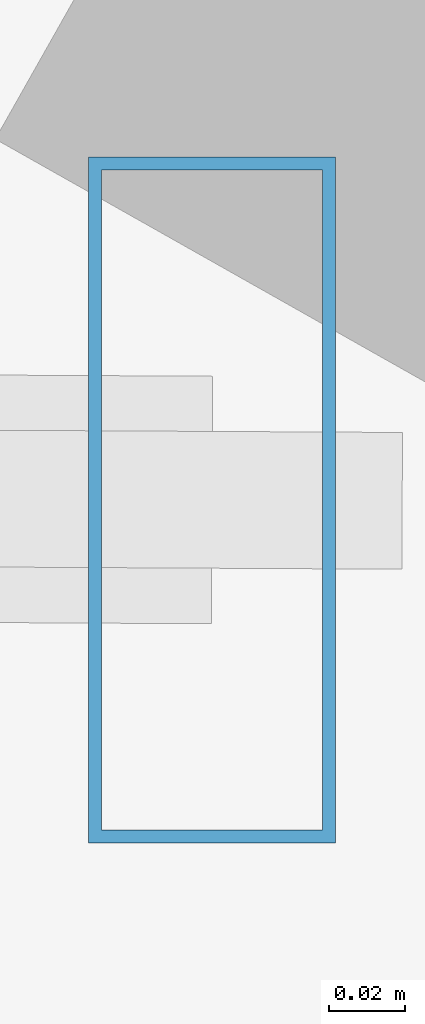
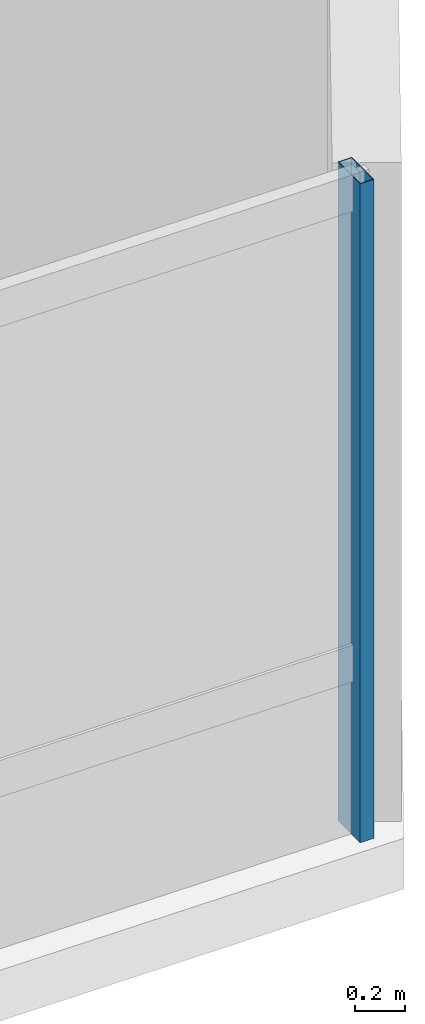
# One storey, part 17 of 39: 1 member, 1 element without a shape of its own.
"""IFC4 building model written with IfcOpenShell, lengths in metres."""

import ifcopenshell
import ifcopenshell.guid

model = None  # the IFC model being written
_history = None  # IfcOwnerHistory: only IFC2X3 demands one
_inside = {}  # id of a spatial element -> (the spatial element, [elements in it])
_under = {}  # id of a project, library or spatial element -> (it, [spatial elements below it])
_declared = {}  # id of a project -> (the project, [libraries it declares])
_typed = {}  # id of a type object -> (the type object, [elements of that type])
_made_of = {}  # id of a material, layer set ... -> (it, [elements and type objects made of it])


def new_model(schema):
    """Start an empty IFC model of exactly this schema.

    Asked for "IFC4X3", IfcOpenShell would pick the latest addendum, in which some entities
    have other attributes; the version numbers below select the first issue.
    IFC2X3 requires an IfcOwnerHistory on every rooted entity: one is made here for all.
    """
    global model, _history
    if schema == "IFC4X3":
        model = ifcopenshell.file(schema_version=(4, 3, 0, 0))
    else:
        model = ifcopenshell.file(schema=schema)
    _inside.clear()
    _under.clear()
    _declared.clear()
    _typed.clear()
    _made_of.clear()
    _history = None
    if model.schema == "IFC2X3":
        org = make("IfcOrganization", Name="unknown")
        user = make(
            "IfcPersonAndOrganization",
            ThePerson=make("IfcPerson", FamilyName="unknown"),
            TheOrganization=org,
        )
        app = make(
            "IfcApplication",
            ApplicationDeveloper=org,
            Version="unknown",
            ApplicationFullName="unknown",
            ApplicationIdentifier="unknown",
        )
        _history = make(
            "IfcOwnerHistory",
            OwningUser=user,
            OwningApplication=app,
            ChangeAction="ADDED",
            CreationDate=0,
        )
    return model


def make(cls, **values):
    """One entity of the class cls with the attributes given. An attribute that is None is left unset."""
    return model.create_entity(
        cls, **{name: value for name, value in values.items() if value is not None}
    )


def rooted(cls, **values):
    """An entity with a GlobalId (a new one), such as an element, a storey or a relation."""
    return make(cls, GlobalId=ifcopenshell.guid.new(), OwnerHistory=_history, **values)


def si_unit(unit_type, name, prefix=None):
    """IfcSIUnit, for example si_unit("LENGTHUNIT", "METRE", prefix="MILLI")."""
    return make("IfcSIUnit", UnitType=unit_type, Prefix=prefix, Name=name)


def assignment(units):
    """IfcUnitAssignment: the units of a project."""
    return None if units is None else make("IfcUnitAssignment", Units=units)


def point(xyz):
    """IfcCartesianPoint."""
    return None if xyz is None else make("IfcCartesianPoint", Coordinates=xyz)


def direction(xyz):
    """IfcDirection."""
    return None if xyz is None else make("IfcDirection", DirectionRatios=xyz)


def frame(location, z_axis=None, x_axis=None):
    """IfcAxis2Placement3D, a coordinate frame: its origin and axes. An axis left out is left unset."""
    return make(
        "IfcAxis2Placement3D",
        Location=point(location),
        Axis=direction(z_axis),
        RefDirection=direction(x_axis),
    )


def frame_2d(location, x_axis=None):
    """IfcAxis2Placement2D, a coordinate frame in the plane: its origin and x axis."""
    return make(
        "IfcAxis2Placement2D", Location=point(location), RefDirection=direction(x_axis)
    )


def origin():
    """The frame at (0, 0, 0) with its axes left unset."""
    return frame((0.0, 0.0, 0.0))


def origin_2d():
    """The frame at (0, 0) in the plane with its x axis left unset."""
    return frame_2d((0.0, 0.0))


def place(relative_to, where):
    """IfcLocalPlacement: puts the frame where relative to a parent placement (None: the world)."""
    return make(
        "IfcLocalPlacement", PlacementRelTo=relative_to, RelativePlacement=where
    )


def context(
    kind, dimensions, precision=None, world=None, true_north=None, identifier=None
):
    """IfcGeometricRepresentationContext, for example the 3D "Model" context."""
    return make(
        "IfcGeometricRepresentationContext",
        ContextIdentifier=identifier,
        ContextType=kind,
        CoordinateSpaceDimension=dimensions,
        Precision=precision,
        WorldCoordinateSystem=world,
        TrueNorth=true_north,
    )


def subcontext(parent, identifier, kind, view, scale=None):
    """IfcGeometricRepresentationSubContext, for example "Body" below "Model"."""
    return make(
        "IfcGeometricRepresentationSubContext",
        ContextIdentifier=identifier,
        ContextType=kind,
        ParentContext=parent,
        TargetScale=scale,
        TargetView=view,
    )


def project(units=None, contexts=None):
    """IfcProject with its units and contexts."""
    return rooted(
        "IfcProject",
        Name="project",
        RepresentationContexts=contexts,
        UnitsInContext=assignment(units),
    )


def spatial(cls, under=None, at=None, **own):
    """A site, building, storey or space (cls), placed at a placement, below another one or the project."""
    s = rooted(cls, ObjectPlacement=at, **own)
    if under is not None:
        _under.setdefault(under.id(), (under, []))[1].append(s)
    return s


def profile(cls, at=None, kind="AREA", **sizes):
    """A parametric profile (cls). Its sizes go by their IFC names, for example OverallWidth=200.0."""
    return make(cls, ProfileType=kind, Position=at, **sizes)


def hollow_rectangle(**sizes):
    """IfcRectangleHollowProfileDef."""
    return profile("IfcRectangleHollowProfileDef", **sizes)


def extrude(swept, where, along, depth):
    """IfcExtrudedAreaSolid: the profile swept, set in the frame where, extruded along a direction by depth."""
    return make(
        "IfcExtrudedAreaSolid",
        SweptArea=swept,
        Position=where,
        ExtrudedDirection=direction(along),
        Depth=depth,
    )


def shape(context_of_items, identifier, shape_type, items):
    """IfcShapeRepresentation: the items that make up one representation, for example the "Body"."""
    return make(
        "IfcShapeRepresentation",
        ContextOfItems=context_of_items,
        RepresentationIdentifier=identifier,
        RepresentationType=shape_type,
        Items=items,
    )


def source(mapping_origin, context_of_items, identifier, shape_type, items):
    """IfcRepresentationMap: a shape defined once, which mapped items show again and again."""
    return make(
        "IfcRepresentationMap",
        MappingOrigin=mapping_origin,
        MappedRepresentation=shape(context_of_items, identifier, shape_type, items),
    )


def transform(
    local_origin,
    x_axis=None,
    y_axis=None,
    z_axis=None,
    scale=None,
    scale2=None,
    scale3=None,
    uniform=True,
):
    """IfcCartesianTransformationOperator3D, or its non-uniform kind. x_axis, y_axis, z_axis: its Axis1, 2, 3."""
    if uniform:
        return make(
            "IfcCartesianTransformationOperator3D",
            Axis1=direction(x_axis),
            Axis2=direction(y_axis),
            LocalOrigin=point(local_origin),
            Scale=scale,
            Axis3=direction(z_axis),
        )
    return make(
        "IfcCartesianTransformationOperator3DnonUniform",
        Axis1=direction(x_axis),
        Axis2=direction(y_axis),
        LocalOrigin=point(local_origin),
        Scale=scale,
        Axis3=direction(z_axis),
        Scale2=scale2,
        Scale3=scale3,
    )


def mapped(mapping_source, mapping_target):
    """IfcMappedItem: shows the shape of a source again, moved by a transform."""
    return make(
        "IfcMappedItem", MappingSource=mapping_source, MappingTarget=mapping_target
    )


def material(Name=None, Category=None):
    """IfcMaterial."""
    return make("IfcMaterial", Name=Name, Category=Category)


def material_profile(
    of_material, cross_section, Name=None, Category=None, Priority=None
):
    """IfcMaterialProfile: a cross section and its material."""
    return make(
        "IfcMaterialProfile",
        Name=Name,
        Material=of_material,
        Profile=cross_section,
        Priority=Priority,
        Category=Category,
    )


def profile_set(profiles, Name=None, composite=None):
    """IfcMaterialProfileSet."""
    return make(
        "IfcMaterialProfileSet",
        Name=Name,
        MaterialProfiles=profiles,
        CompositeProfile=composite,
    )


def made_of(thing, what):
    """Note that an element or type object is made of a material, layer set ...; save() writes the relation."""
    if what is not None:
        _made_of.setdefault(what.id(), (what, []))[1].append(thing)
    return thing


def type_object(cls, material=None, **own):
    """A type object (cls), such as IfcWallType, which elements share."""
    return made_of(rooted(cls, **own), material)


def type_shapes(of_type, sources):
    """Give a type object the sources (RepresentationMaps) that its elements show as mapped items."""
    of_type.RepresentationMaps = sources


def element(
    cls,
    number,
    at=None,
    inside=None,
    cuts=None,
    type_object=None,
    material=None,
    context=None,
    identifier="Body",
    shape_type=None,
    held_by="IfcProductDefinitionShape",
    body=None,
    shapes=None,
    **own,
):
    """One element of the class cls, such as IfcWall. Its Tag is "e" and its number.

    at: its placement. inside: the storey or other place that contains it. cuts: it is an
    opening in that element (IfcRelVoidsElement). A single representation is given by context,
    identifier, shape_type and body (its items); several are given by shapes. held_by: the class
    of the entity that holds the representations. save() writes the other relations.
    """
    e = rooted(cls, Tag="e%d" % number, ObjectPlacement=at, **own)
    if body is not None:
        shapes = [shape(context, identifier, shape_type, body)]
    if shapes is not None:
        e.Representation = make(held_by, Representations=shapes)
    if inside is not None:
        _inside.setdefault(inside.id(), (inside, []))[1].append(e)
    if cuts is not None:
        rooted(
            "IfcRelVoidsElement", RelatingBuildingElement=cuts, RelatedOpeningElement=e
        )
    if type_object is not None:
        _typed.setdefault(type_object.id(), (type_object, []))[1].append(e)
    return made_of(e, material)


def aggregate(whole, parts):
    """IfcRelAggregates: a whole, such as a stair, and the parts it consists of."""
    return rooted("IfcRelAggregates", RelatingObject=whole, RelatedObjects=parts)


def save(model, path):
    """Write the relations noted so far, then the file.

    IfcRelAggregates (storeys below a building ...), IfcRelContainedInSpatialStructure (elements
    in a storey), IfcRelDefinesByType, IfcRelAssociatesMaterial and IfcRelDeclares: one each for
    every whole, place, type object, material and project.
    """
    for whole, parts in _under.values():
        aggregate(whole, parts)
    for where, things in _inside.values():
        rooted(
            "IfcRelContainedInSpatialStructure",
            RelatedElements=things,
            RelatingStructure=where,
        )
    for kind, things in _typed.values():
        rooted("IfcRelDefinesByType", RelatedObjects=things, RelatingType=kind)
    for what, things in _made_of.values():
        rooted("IfcRelAssociatesMaterial", RelatedObjects=things, RelatingMaterial=what)
    for by, libraries in _declared.values():
        rooted("IfcRelDeclares", RelatingContext=by, RelatedDefinitions=libraries)
    model.write(path)


model = new_model("IFC4")

# Units and contexts
model_context = context("Model", 3, precision=1e-05, world=origin(), true_north=direction((0.0, 1.0)))
body_context = subcontext(model_context, "Body", "Model", "MODEL_VIEW")
ifc_project = project(units=[si_unit("LENGTHUNIT", "METRE"), si_unit("AREAUNIT", "SQUARE_METRE"), si_unit("VOLUMEUNIT", "CUBIC_METRE"), si_unit("PLANEANGLEUNIT", "RADIAN"), si_unit("MASSUNIT", "GRAM", prefix="KILO")], contexts=[model_context])

# Site, building, storey
site_placement = place(None, origin())
site = spatial("IfcSite", under=ifc_project, at=site_placement, CompositionType="ELEMENT")
building_placement = place(site_placement, origin())
building = spatial("IfcBuilding", under=site, at=building_placement, Name="Caelisora Broadcast Tower", CompositionType="ELEMENT")
storey_placement = place(building_placement, frame((0.0, 0.0, 71.39990234375)))
storey = spatial("IfcBuildingStorey", under=building, at=storey_placement, Name="L18", CompositionType="ELEMENT", Elevation=71.39990234375)

# Curtain wall, member
ifc_material_1 = material(Name="Unitised Aluminium and Low-E Glass Curtain Wall", Category="glass")
curtain_wall_type = type_object("IfcCurtainWallType", Name="CW-Z1", PredefinedType="NOTDEFINED", material=ifc_material_1)
curtain_wall_placement = place(storey_placement, origin())
curtain_wall = element("IfcCurtainWall", 1, at=curtain_wall_placement, inside=storey, type_object=curtain_wall_type, Name="L18 curtain wall CW-Z1", PredefinedType="NOTDEFINED")
ifc_material_2 = material(Name="Aluminium 6063-T6 Anodised Terracotta Bronze", Category="aluminium")
ifc_material_profile = material_profile(ifc_material_2, hollow_rectangle(XDim=0.06494140625, YDim=0.179931640625, WallThickness=0.00341796875, at=origin_2d()), Name="Aluminium 6063-T6 Anodised Terracotta Bronze")
ifc_profile_set = profile_set([ifc_material_profile], Name="Aluminium 6063-T6 Anodised Terracotta Bronze")
member_type = type_object("IfcMemberType", Name="CWM-02", PredefinedType="MULLION", material=ifc_profile_set)
shared_shape = source(origin(), body_context, "Body", "SweptSolid", [
    extrude(hollow_rectangle(XDim=0.06494140625, YDim=0.179931640625, WallThickness=0.00341796875, at=origin_2d()), origin(), (0.0, 0.0, 1.0), 3.25),
])
type_shapes(member_type, [shared_shape])
member_placement = place(storey_placement, frame((58.055908203125, 4.847412109375, 0.0), z_axis=(0.0, 0.0, 1.0), x_axis=(1.0, 0.0, 0.0)))
member = element("IfcMember", 2, at=member_placement, type_object=member_type, Name="L18-CW-B05 mullion #0", PredefinedType="MULLION", context=body_context, shape_type="MappedRepresentation", body=[
    mapped(shared_shape, transform((0.0, 0.0, 0.0), scale=1.0)),
])
aggregate(curtain_wall, [member])

save(model, "model.ifc")
